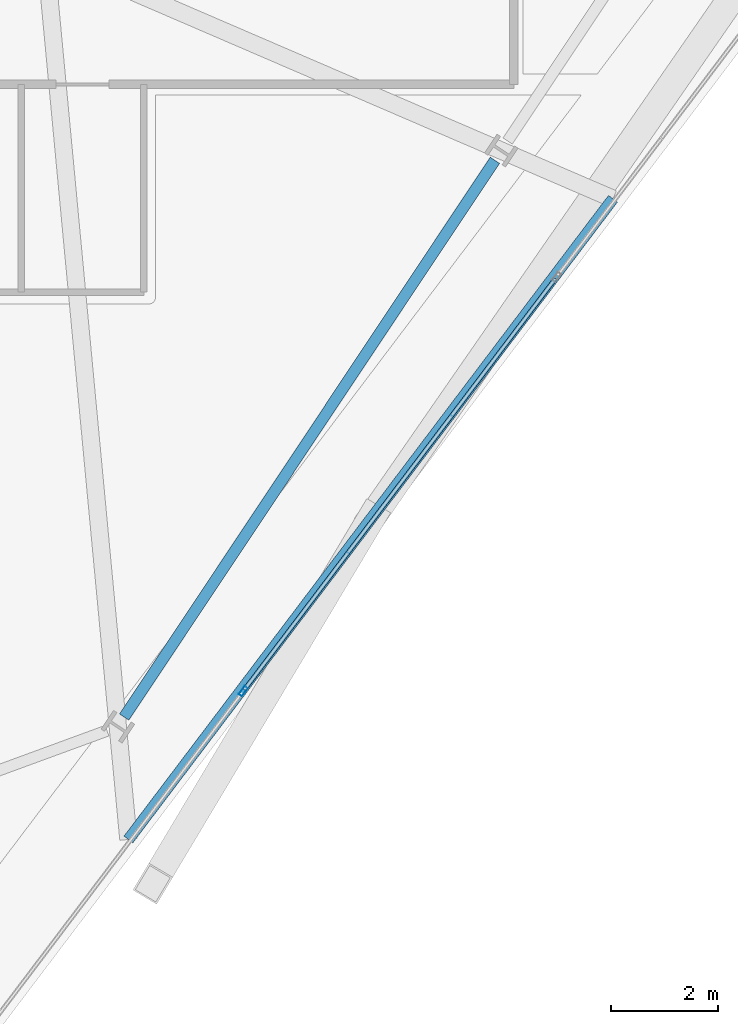
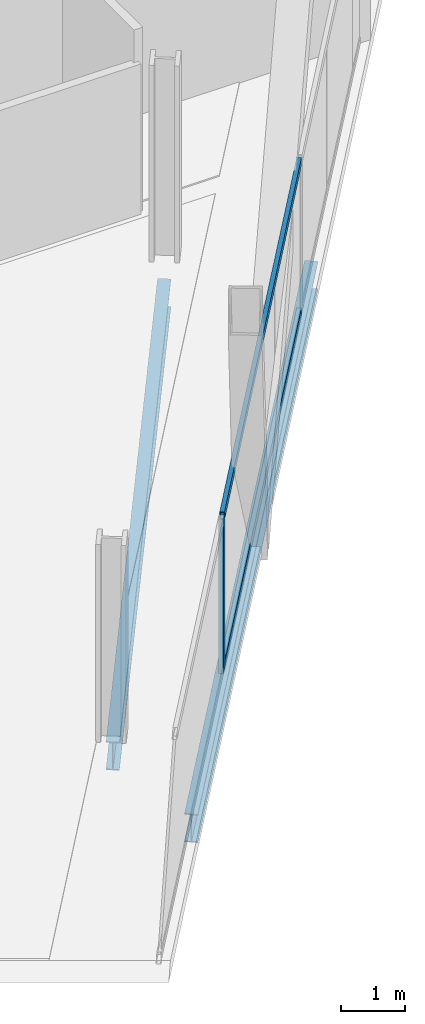
# One storey, part 11 of 34: 3 members, 2 beams, 1 element without a shape of its own.
"""IFC4 building model written with IfcOpenShell, lengths in metres."""

from ifc_helpers import new_model, si_unit, direction, frame, origin, origin_2d, place, context, subcontext, project, spatial, hollow_rectangle, i_section, extrude, material, material_profile, profile_set, type_object, element, aggregate, save


model = new_model("IFC4")

# Units and contexts
model_context = context("Model", 3, precision=1e-05, world=origin(), true_north=direction((0.0, 1.0)))
body_context = subcontext(model_context, "Body", "Model", "MODEL_VIEW")
ifc_project = project(units=[si_unit("LENGTHUNIT", "METRE"), si_unit("AREAUNIT", "SQUARE_METRE"), si_unit("VOLUMEUNIT", "CUBIC_METRE"), si_unit("PLANEANGLEUNIT", "RADIAN"), si_unit("MASSUNIT", "GRAM", prefix="KILO")], contexts=[model_context])

# Site, building, storey
site_placement = place(None, origin())
site = spatial("IfcSite", under=ifc_project, at=site_placement, CompositionType="ELEMENT")
building_placement = place(site_placement, origin())
building = spatial("IfcBuilding", under=site, at=building_placement, Name="Haldenkirk Collegiate Tower", CompositionType="ELEMENT")
storey_placement = place(building_placement, frame((0.0, 0.0, 205.949951171875)))
storey = spatial("IfcBuildingStorey", under=building, at=storey_placement, Name="L51", CompositionType="ELEMENT", Elevation=205.949951171875)

# Beams
ifc_material_1 = material(Name="Steel ASTM A992 Grade 50", Category="steel")
ifc_material_profile_1 = material_profile(ifc_material_1, i_section(OverallWidth=0.2099609375, OverallDepth=0.537109375, WebThickness=0.010986328125, FlangeThickness=0.017333984375, at=origin_2d()), Name="W21X68")
ifc_profile_set_1 = profile_set([ifc_material_profile_1], Name="Steel ASTM A992 Grade 50")
beam_type = type_object("IfcBeamType", Name="BM-SPANDREL-W21X68", PredefinedType="SPANDREL", material=ifc_profile_set_1)
beam_1_placement = place(storey_placement, frame((46.4833984375, 3.67041015625, -0.54833984375), z_axis=(0.554112521622, 0.832441777773, 0.0), x_axis=(-0.832441777773, 0.554112521622, 0.0)))
element("IfcBeam", 1, at=beam_1_placement, inside=storey, type_object=beam_type, Name="L51 perimeter spandrel beam 02", PredefinedType="SPANDREL", context=body_context, shape_type="SweptSolid", body=[
    extrude(i_section(OverallWidth=0.2099609375, OverallDepth=0.537109375, WebThickness=0.010986328125, FlangeThickness=0.017333984375, at=origin_2d()), origin(), (0.0, 0.0, 1.0), 12.561767578125),
])
beam_2_placement = place(storey_placement, frame((46.56201171875, 1.371826171875, -0.54833984375), z_axis=(0.603213751322, 0.797579569834, 0.0), x_axis=(-0.797579569834, 0.603213751322, 0.0)))
element("IfcBeam", 2, at=beam_2_placement, inside=storey, type_object=beam_type, Name="L51 outer facade edge beam 1", PredefinedType="SPANDREL", context=body_context, shape_type="SweptSolid", body=[
    extrude(i_section(OverallWidth=0.2099609375, OverallDepth=0.537109375, WebThickness=0.010986328125, FlangeThickness=0.017333984375, at=origin_2d()), origin(), (0.0, 0.0, 1.0), 15.085693359375),
])

# Curtain wall, members
ifc_material_2 = material(Name="Anodised architectural bronze aluminium", Category="aluminium")
curtain_wall_type = type_object("IfcCurtainWallType", Name="CW-SYS2-CONCAVE", PredefinedType="USERDEFINED", material=ifc_material_2)
curtain_wall_placement = place(storey_placement, origin())
curtain_wall = element("IfcCurtainWall", 3, at=curtain_wall_placement, inside=storey, type_object=curtain_wall_type, Name="L51 South concave recessed bronze-anodised curtain wall", ObjectType="UNITISED CURTAIN WALL", PredefinedType="USERDEFINED")
ifc_material_profile_2 = material_profile(ifc_material_2, hollow_rectangle(XDim=0.074951171875, YDim=0.18994140625, WallThickness=0.0048828125, at=origin_2d()), Name="CW-MUL-02")
ifc_profile_set_2 = profile_set([ifc_material_profile_2], Name="Anodised architectural bronze aluminium")
member_type_1 = type_object("IfcMemberType", Name="CW-MUL-02", PredefinedType="MULLION", material=ifc_profile_set_2)
member_1_placement = place(storey_placement, frame((48.71826171875, 4.15673828125, 0.0), z_axis=(0.0, 0.0, 1.0), x_axis=(0.797584320771, -0.6032074695, 0.0)))
member_1 = element("IfcMember", 4, at=member_1_placement, type_object=member_type_1, Name="CW-02 mullion 4", PredefinedType="MULLION", context=body_context, shape_type="SweptSolid", body=[
    extrude(hollow_rectangle(XDim=0.074951171875, YDim=0.18994140625, WallThickness=0.0048828125, at=origin_2d()), origin(), (0.0, 0.0, 1.0), 2.927978515625),
])
ifc_material_profile_3 = material_profile(ifc_material_2, hollow_rectangle(XDim=0.074951171875, YDim=0.159912109375, WallThickness=0.0048828125, at=origin_2d()), Name="CW-TRN-02")
ifc_profile_set_3 = profile_set([ifc_material_profile_3], Name="Anodised architectural bronze aluminium")
member_type_2 = type_object("IfcMemberType", Name="CW-TRN-02", PredefinedType="USERDEFINED", material=ifc_profile_set_3)
member_2_placement = place(storey_placement, frame((54.5771484375, 11.9033203125, 0.03759765625), z_axis=(-0.603221048631, -0.797574050787, 0.0), x_axis=(0.797574050787, -0.603221048631, 0.0)))
member_2 = element("IfcMember", 5, at=member_2_placement, type_object=member_type_2, Name="CW-02 transom 3.1", ObjectType="TRANSOM", PredefinedType="USERDEFINED", context=body_context, shape_type="SweptSolid", body=[
    extrude(hollow_rectangle(XDim=0.074951171875, YDim=0.159912109375, WallThickness=0.0048828125, at=origin_2d()), origin(), (0.0, 0.0, 1.0), 9.675048828125),
])
member_3_placement = place(storey_placement, frame((54.5771484375, 11.9033203125, 2.890625), z_axis=(-0.603221048631, -0.797574050787, 0.0), x_axis=(0.797574050787, -0.603221048631, 0.0)))
member_3 = element("IfcMember", 6, at=member_3_placement, type_object=member_type_2, Name="CW-02 transom 3.2", ObjectType="TRANSOM", PredefinedType="USERDEFINED", context=body_context, shape_type="SweptSolid", body=[
    extrude(hollow_rectangle(XDim=0.074951171875, YDim=0.159912109375, WallThickness=0.0048828125, at=origin_2d()), origin(), (0.0, 0.0, 1.0), 9.675048828125),
])
aggregate(curtain_wall, [member_1, member_2, member_3])

save(model, "model.ifc")
